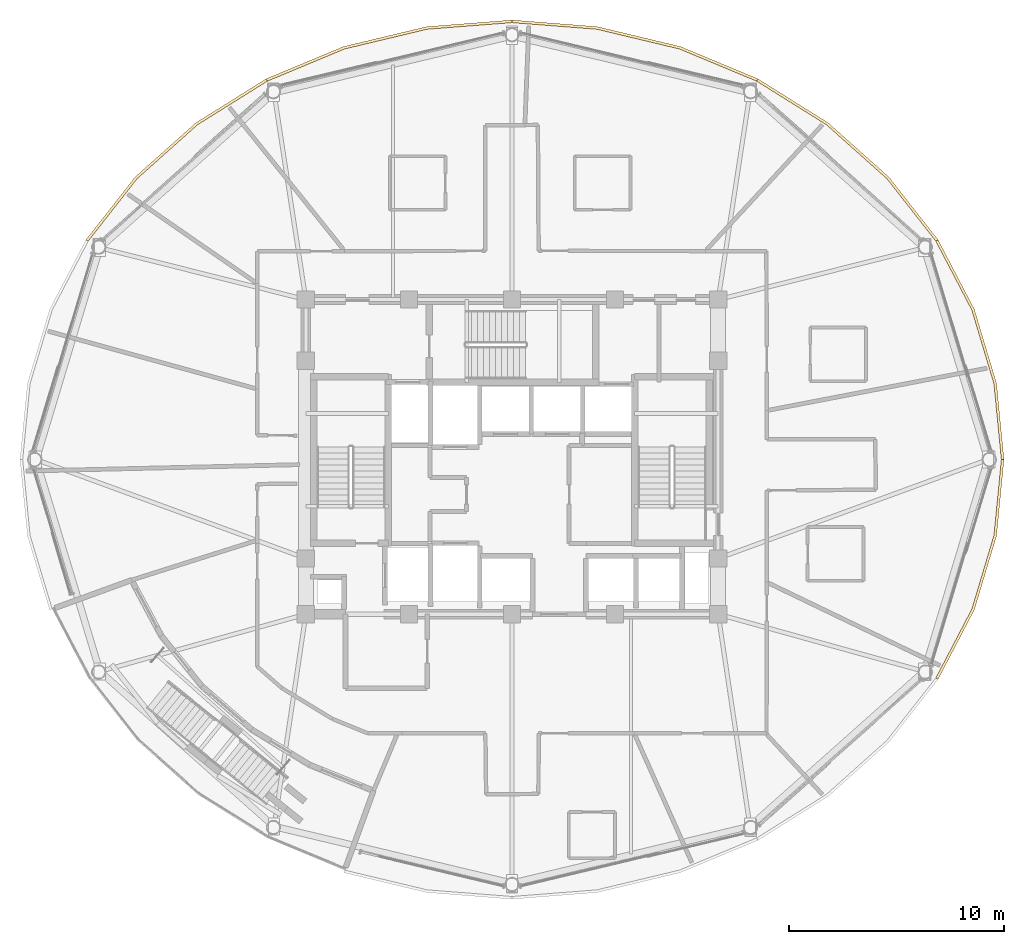
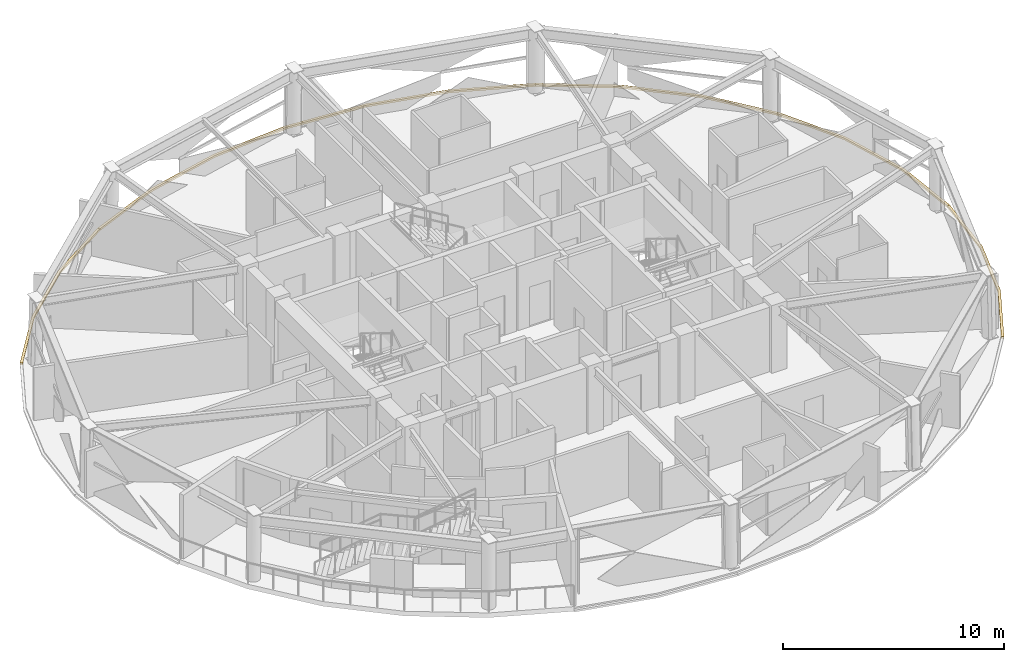
# One storey, part 17 of 17: 6 coverings.
"""IFC4 building model written with IfcOpenShell, lengths in metres."""

from ifc_helpers import new_model, si_unit, direction, frame, origin, place, context, subcontext, project, spatial, polyline, outline, extrude, material, layer, layer_set, type_object, element, save


model = new_model("IFC4")

# Units and contexts
model_context = context("Model", 3, precision=1e-05, world=origin(), true_north=direction((0.0, 1.0)))
body_context = subcontext(model_context, "Body", "Model", "MODEL_VIEW")
ifc_project = project(units=[si_unit("LENGTHUNIT", "METRE"), si_unit("AREAUNIT", "SQUARE_METRE"), si_unit("VOLUMEUNIT", "CUBIC_METRE"), si_unit("PLANEANGLEUNIT", "RADIAN"), si_unit("MASSUNIT", "GRAM", prefix="KILO")], contexts=[model_context])

# Site, building, storey
site_placement = place(None, origin())
site = spatial("IfcSite", under=ifc_project, at=site_placement, CompositionType="ELEMENT")
building_placement = place(site_placement, origin())
building = spatial("IfcBuilding", under=site, at=building_placement, Name="Vantalir Tower", CompositionType="ELEMENT")
storey_placement = place(building_placement, frame((0.0, 0.0, 208.64990234375)))
storey = spatial("IfcBuildingStorey", under=building, at=storey_placement, Name="L52", CompositionType="ELEMENT", Elevation=208.64990234375)

# Coverings
ifc_material = material(Name="Anodised champagne aluminium sill fascia", Category="aluminium")
ifc_layer = layer(ifc_material, 0.125)
ifc_layer_set = layer_set([ifc_layer], Name="Anodised champagne aluminium sill fascia")
covering_type = type_object("IfcCoveringType", Name="COV-SLAB-FASCIA-125", PredefinedType="CLADDING", material=ifc_layer_set)
covering_1_placement = place(storey_placement, frame((0.0, 0.0, -0.179931640625)))
element("IfcCovering", 1, at=covering_1_placement, inside=storey, type_object=covering_type, Name="L52 Perimeter Slab-Edge Sill Fascia 01", PredefinedType="CLADDING", context=body_context, shape_type="SweptSolid", body=[
    extrude(outline(polyline([(54.408935546875, 25.0), (54.06103515625, 28.553955078125), (53.027099609375, 32.0), (51.340087890625, 35.23388671875), (51.23193359375, 35.1708984375), (52.909912109375, 31.9580078125), (53.93798828125, 28.532958984375), (54.283935546875, 25.0), (54.408935546875, 25.0)])), origin(), (0.0, 0.0, 1.0), 0.10498046875),
])
covering_2_placement = place(storey_placement, frame((0.0, 0.0, -0.179931640625)))
element("IfcCovering", 2, at=covering_2_placement, inside=storey, type_object=covering_type, Name="L52 Perimeter Slab-Edge Sill Fascia 02", PredefinedType="CLADDING", context=body_context, shape_type="SweptSolid", body=[
    extrude(outline(polyline([(51.340087890625, 35.23388671875), (49.049072265625, 38.156982421875), (46.22607421875, 40.678955078125), (42.955078125, 42.72607421875), (42.89208984375, 42.617919921875), (46.14501953125, 40.583984375), (48.9541015625, 38.075927734375), (51.23193359375, 35.1708984375), (51.340087890625, 35.23388671875)])), origin(), (0.0, 0.0, 1.0), 0.10498046875),
])
covering_3_placement = place(storey_placement, frame((0.0, 0.0, -0.179931640625)))
element("IfcCovering", 3, at=covering_3_placement, inside=storey, type_object=covering_type, Name="L52 Perimeter Slab-Edge Sill Fascia 03", PredefinedType="CLADDING", context=body_context, shape_type="SweptSolid", body=[
    extrude(outline(polyline([(42.955078125, 42.72607421875), (39.3349609375, 44.23388671875), (35.47802734375, 45.156982421875), (31.5, 45.468017578125), (31.5, 45.343017578125), (35.4560546875, 45.033935546875), (39.29296875, 44.115966796875), (42.89208984375, 42.617919921875), (42.955078125, 42.72607421875)])), origin(), (0.0, 0.0, 1.0), 0.10498046875),
])
covering_4_placement = place(storey_placement, frame((0.0, 0.0, -0.179931640625)))
element("IfcCovering", 4, at=covering_4_placement, inside=storey, type_object=covering_type, Name="L52 Perimeter Slab-Edge Sill Fascia 04", PredefinedType="CLADDING", context=body_context, shape_type="SweptSolid", body=[
    extrude(outline(polyline([(31.5, 45.468017578125), (27.52197265625, 45.156982421875), (23.6650390625, 44.23388671875), (20.0458984375, 42.72607421875), (20.10791015625, 42.617919921875), (23.70703125, 44.115966796875), (27.5439453125, 45.033935546875), (31.5, 45.343017578125), (31.5, 45.468017578125)])), origin(), (0.0, 0.0, 1.0), 0.10498046875),
])
covering_5_placement = place(storey_placement, frame((0.0, 0.0, -0.179931640625)))
element("IfcCovering", 5, at=covering_5_placement, inside=storey, type_object=covering_type, Name="L52 Perimeter Slab-Edge Sill Fascia 05", PredefinedType="CLADDING", context=body_context, shape_type="SweptSolid", body=[
    extrude(outline(polyline([(20.0458984375, 42.72607421875), (16.77392578125, 40.678955078125), (13.950927734375, 38.156982421875), (11.659912109375, 35.23388671875), (11.76806640625, 35.1708984375), (14.0458984375, 38.075927734375), (16.85498046875, 40.583984375), (20.10791015625, 42.617919921875), (20.0458984375, 42.72607421875)])), origin(), (0.0, 0.0, 1.0), 0.10498046875),
])
covering_6_placement = place(storey_placement, frame((0.0, 0.0, -0.179931640625)))
element("IfcCovering", 6, at=covering_6_placement, inside=storey, type_object=covering_type, Name="L52 Perimeter Slab-Edge Sill Fascia 12", PredefinedType="CLADDING", context=body_context, shape_type="SweptSolid", body=[
    extrude(outline(polyline([(51.340087890625, 14.76611328125), (53.027099609375, 18.0), (54.06103515625, 21.446044921875), (54.408935546875, 25.0), (54.283935546875, 25.0), (53.93798828125, 21.467041015625), (52.909912109375, 18.0419921875), (51.23193359375, 14.827880859375), (51.340087890625, 14.76611328125)])), origin(), (0.0, 0.0, 1.0), 0.10498046875),
])

save(model, "model.ifc")
